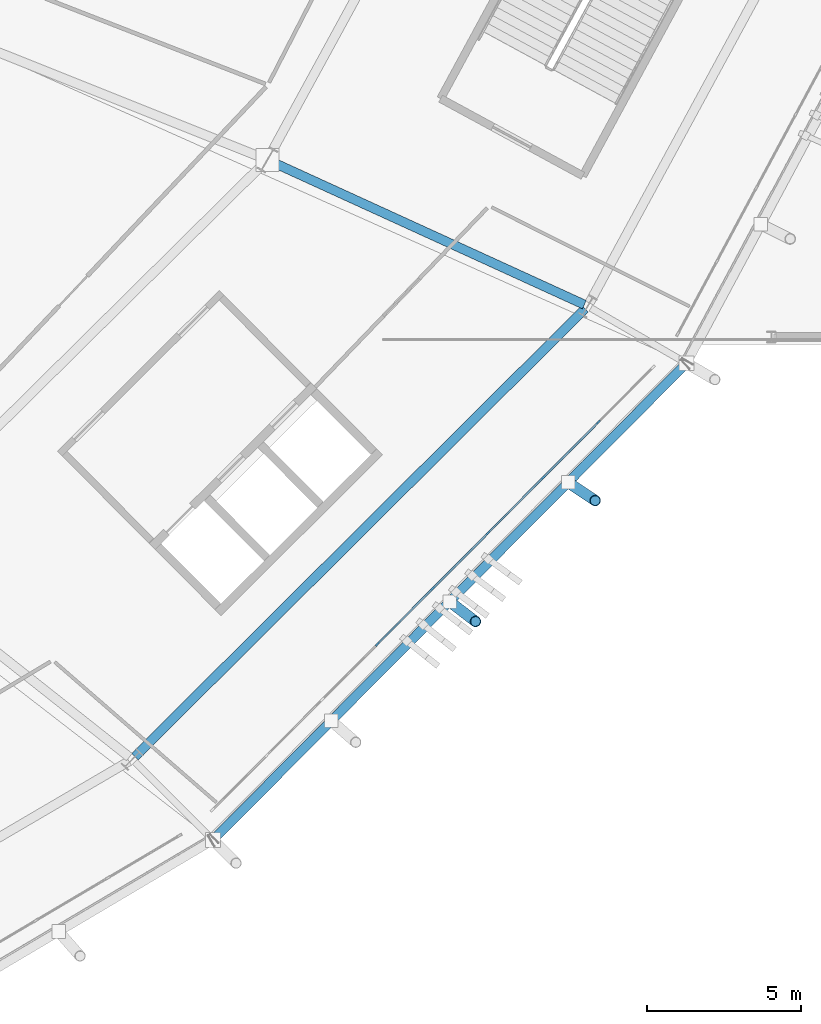
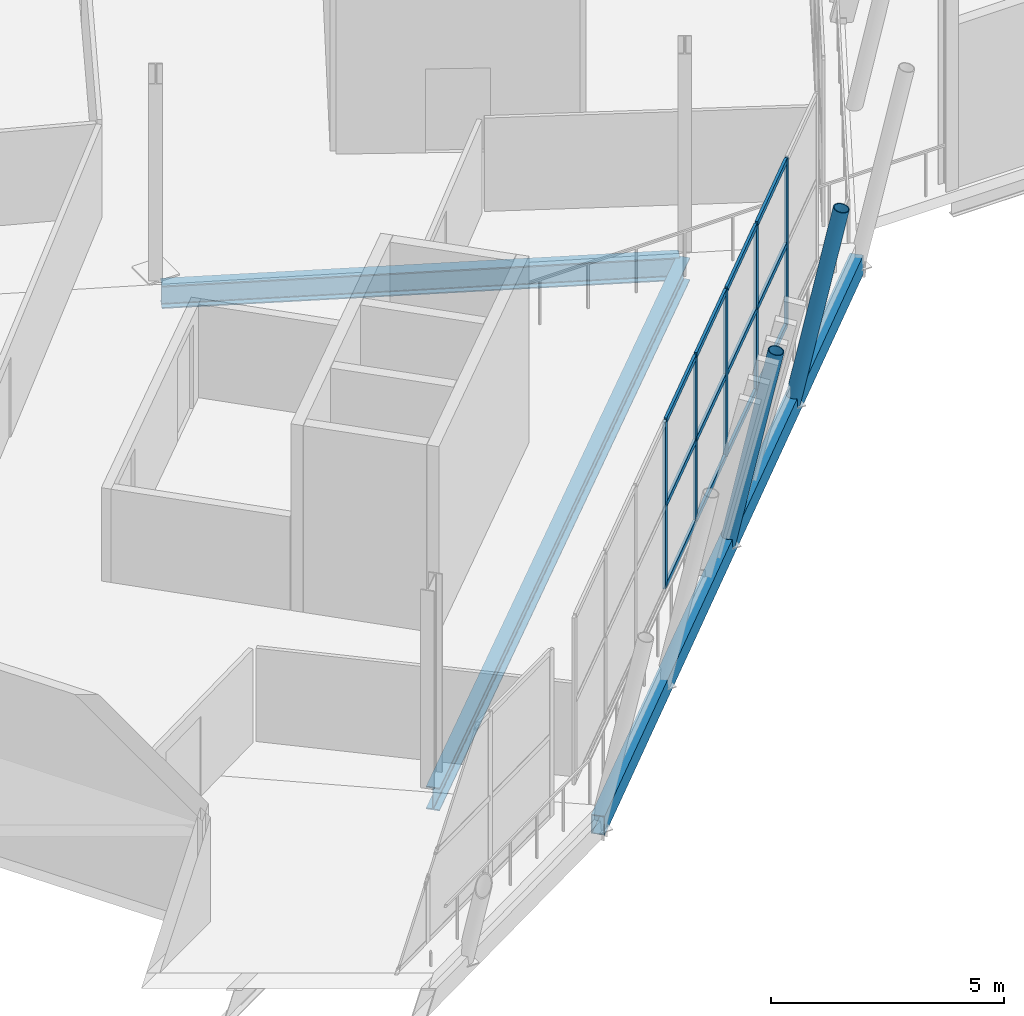
# One storey, part 53 of 168: 19 members, 3 beams, 1 element without a shape of its own.
"""IFC4 building model written with IfcOpenShell, lengths in metres."""

import ifcopenshell
import ifcopenshell.guid

model = None  # the IFC model being written
_history = None  # IfcOwnerHistory: only IFC2X3 demands one
_inside = {}  # id of a spatial element -> (the spatial element, [elements in it])
_under = {}  # id of a project, library or spatial element -> (it, [spatial elements below it])
_declared = {}  # id of a project -> (the project, [libraries it declares])
_typed = {}  # id of a type object -> (the type object, [elements of that type])
_made_of = {}  # id of a material, layer set ... -> (it, [elements and type objects made of it])


def new_model(schema):
    """Start an empty IFC model of exactly this schema.

    Asked for "IFC4X3", IfcOpenShell would pick the latest addendum, in which some entities
    have other attributes; the version numbers below select the first issue.
    IFC2X3 requires an IfcOwnerHistory on every rooted entity: one is made here for all.
    """
    global model, _history
    if schema == "IFC4X3":
        model = ifcopenshell.file(schema_version=(4, 3, 0, 0))
    else:
        model = ifcopenshell.file(schema=schema)
    _inside.clear()
    _under.clear()
    _declared.clear()
    _typed.clear()
    _made_of.clear()
    _history = None
    if model.schema == "IFC2X3":
        org = make("IfcOrganization", Name="unknown")
        user = make(
            "IfcPersonAndOrganization",
            ThePerson=make("IfcPerson", FamilyName="unknown"),
            TheOrganization=org,
        )
        app = make(
            "IfcApplication",
            ApplicationDeveloper=org,
            Version="unknown",
            ApplicationFullName="unknown",
            ApplicationIdentifier="unknown",
        )
        _history = make(
            "IfcOwnerHistory",
            OwningUser=user,
            OwningApplication=app,
            ChangeAction="ADDED",
            CreationDate=0,
        )
    return model


def make(cls, **values):
    """One entity of the class cls with the attributes given. An attribute that is None is left unset."""
    return model.create_entity(
        cls, **{name: value for name, value in values.items() if value is not None}
    )


def rooted(cls, **values):
    """An entity with a GlobalId (a new one), such as an element, a storey or a relation."""
    return make(cls, GlobalId=ifcopenshell.guid.new(), OwnerHistory=_history, **values)


def si_unit(unit_type, name, prefix=None):
    """IfcSIUnit, for example si_unit("LENGTHUNIT", "METRE", prefix="MILLI")."""
    return make("IfcSIUnit", UnitType=unit_type, Prefix=prefix, Name=name)


def assignment(units):
    """IfcUnitAssignment: the units of a project."""
    return None if units is None else make("IfcUnitAssignment", Units=units)


def point(xyz):
    """IfcCartesianPoint."""
    return None if xyz is None else make("IfcCartesianPoint", Coordinates=xyz)


def direction(xyz):
    """IfcDirection."""
    return None if xyz is None else make("IfcDirection", DirectionRatios=xyz)


def frame(location, z_axis=None, x_axis=None):
    """IfcAxis2Placement3D, a coordinate frame: its origin and axes. An axis left out is left unset."""
    return make(
        "IfcAxis2Placement3D",
        Location=point(location),
        Axis=direction(z_axis),
        RefDirection=direction(x_axis),
    )


def frame_2d(location, x_axis=None):
    """IfcAxis2Placement2D, a coordinate frame in the plane: its origin and x axis."""
    return make(
        "IfcAxis2Placement2D", Location=point(location), RefDirection=direction(x_axis)
    )


def origin():
    """The frame at (0, 0, 0) with its axes left unset."""
    return frame((0.0, 0.0, 0.0))


def origin_2d():
    """The frame at (0, 0) in the plane with its x axis left unset."""
    return frame_2d((0.0, 0.0))


def place(relative_to, where):
    """IfcLocalPlacement: puts the frame where relative to a parent placement (None: the world)."""
    return make(
        "IfcLocalPlacement", PlacementRelTo=relative_to, RelativePlacement=where
    )


def context(
    kind, dimensions, precision=None, world=None, true_north=None, identifier=None
):
    """IfcGeometricRepresentationContext, for example the 3D "Model" context."""
    return make(
        "IfcGeometricRepresentationContext",
        ContextIdentifier=identifier,
        ContextType=kind,
        CoordinateSpaceDimension=dimensions,
        Precision=precision,
        WorldCoordinateSystem=world,
        TrueNorth=true_north,
    )


def subcontext(parent, identifier, kind, view, scale=None):
    """IfcGeometricRepresentationSubContext, for example "Body" below "Model"."""
    return make(
        "IfcGeometricRepresentationSubContext",
        ContextIdentifier=identifier,
        ContextType=kind,
        ParentContext=parent,
        TargetScale=scale,
        TargetView=view,
    )


def project(units=None, contexts=None):
    """IfcProject with its units and contexts."""
    return rooted(
        "IfcProject",
        Name="project",
        RepresentationContexts=contexts,
        UnitsInContext=assignment(units),
    )


def spatial(cls, under=None, at=None, **own):
    """A site, building, storey or space (cls), placed at a placement, below another one or the project."""
    s = rooted(cls, ObjectPlacement=at, **own)
    if under is not None:
        _under.setdefault(under.id(), (under, []))[1].append(s)
    return s


def profile(cls, at=None, kind="AREA", **sizes):
    """A parametric profile (cls). Its sizes go by their IFC names, for example OverallWidth=200.0."""
    return make(cls, ProfileType=kind, Position=at, **sizes)


def rectangle(**sizes):
    """IfcRectangleProfileDef."""
    return profile("IfcRectangleProfileDef", **sizes)


def hollow_rectangle(**sizes):
    """IfcRectangleHollowProfileDef."""
    return profile("IfcRectangleHollowProfileDef", **sizes)


def hollow_circle(**sizes):
    """IfcCircleHollowProfileDef."""
    return profile("IfcCircleHollowProfileDef", **sizes)


def i_section(**sizes):
    """IfcIShapeProfileDef."""
    return profile("IfcIShapeProfileDef", **sizes)


def extrude(swept, where, along, depth):
    """IfcExtrudedAreaSolid: the profile swept, set in the frame where, extruded along a direction by depth."""
    return make(
        "IfcExtrudedAreaSolid",
        SweptArea=swept,
        Position=where,
        ExtrudedDirection=direction(along),
        Depth=depth,
    )


def shape(context_of_items, identifier, shape_type, items):
    """IfcShapeRepresentation: the items that make up one representation, for example the "Body"."""
    return make(
        "IfcShapeRepresentation",
        ContextOfItems=context_of_items,
        RepresentationIdentifier=identifier,
        RepresentationType=shape_type,
        Items=items,
    )


def material(Name=None, Category=None):
    """IfcMaterial."""
    return make("IfcMaterial", Name=Name, Category=Category)


def material_profile(
    of_material, cross_section, Name=None, Category=None, Priority=None
):
    """IfcMaterialProfile: a cross section and its material."""
    return make(
        "IfcMaterialProfile",
        Name=Name,
        Material=of_material,
        Profile=cross_section,
        Priority=Priority,
        Category=Category,
    )


def profile_set(profiles, Name=None, composite=None):
    """IfcMaterialProfileSet."""
    return make(
        "IfcMaterialProfileSet",
        Name=Name,
        MaterialProfiles=profiles,
        CompositeProfile=composite,
    )


def made_of(thing, what):
    """Note that an element or type object is made of a material, layer set ...; save() writes the relation."""
    if what is not None:
        _made_of.setdefault(what.id(), (what, []))[1].append(thing)
    return thing


def type_object(cls, material=None, **own):
    """A type object (cls), such as IfcWallType, which elements share."""
    return made_of(rooted(cls, **own), material)


def element(
    cls,
    number,
    at=None,
    inside=None,
    cuts=None,
    type_object=None,
    material=None,
    context=None,
    identifier="Body",
    shape_type=None,
    held_by="IfcProductDefinitionShape",
    body=None,
    shapes=None,
    **own,
):
    """One element of the class cls, such as IfcWall. Its Tag is "e" and its number.

    at: its placement. inside: the storey or other place that contains it. cuts: it is an
    opening in that element (IfcRelVoidsElement). A single representation is given by context,
    identifier, shape_type and body (its items); several are given by shapes. held_by: the class
    of the entity that holds the representations. save() writes the other relations.
    """
    e = rooted(cls, Tag="e%d" % number, ObjectPlacement=at, **own)
    if body is not None:
        shapes = [shape(context, identifier, shape_type, body)]
    if shapes is not None:
        e.Representation = make(held_by, Representations=shapes)
    if inside is not None:
        _inside.setdefault(inside.id(), (inside, []))[1].append(e)
    if cuts is not None:
        rooted(
            "IfcRelVoidsElement", RelatingBuildingElement=cuts, RelatedOpeningElement=e
        )
    if type_object is not None:
        _typed.setdefault(type_object.id(), (type_object, []))[1].append(e)
    return made_of(e, material)


def aggregate(whole, parts):
    """IfcRelAggregates: a whole, such as a stair, and the parts it consists of."""
    return rooted("IfcRelAggregates", RelatingObject=whole, RelatedObjects=parts)


def save(model, path):
    """Write the relations noted so far, then the file.

    IfcRelAggregates (storeys below a building ...), IfcRelContainedInSpatialStructure (elements
    in a storey), IfcRelDefinesByType, IfcRelAssociatesMaterial and IfcRelDeclares: one each for
    every whole, place, type object, material and project.
    """
    for whole, parts in _under.values():
        aggregate(whole, parts)
    for where, things in _inside.values():
        rooted(
            "IfcRelContainedInSpatialStructure",
            RelatedElements=things,
            RelatingStructure=where,
        )
    for kind, things in _typed.values():
        rooted("IfcRelDefinesByType", RelatedObjects=things, RelatingType=kind)
    for what, things in _made_of.values():
        rooted("IfcRelAssociatesMaterial", RelatedObjects=things, RelatingMaterial=what)
    for by, libraries in _declared.values():
        rooted("IfcRelDeclares", RelatingContext=by, RelatedDefinitions=libraries)
    model.write(path)


model = new_model("IFC4")

# Units and contexts
model_context = context("Model", 3, precision=1e-05, world=origin(), true_north=direction((0.0, 1.0)))
body_context = subcontext(model_context, "Body", "Model", "MODEL_VIEW")
ifc_project = project(units=[si_unit("LENGTHUNIT", "METRE"), si_unit("AREAUNIT", "SQUARE_METRE"), si_unit("VOLUMEUNIT", "CUBIC_METRE"), si_unit("PLANEANGLEUNIT", "RADIAN"), si_unit("MASSUNIT", "GRAM", prefix="KILO")], contexts=[model_context])

# Site, building, storey
site_placement = place(None, origin())
site = spatial("IfcSite", under=ifc_project, at=site_placement, CompositionType="ELEMENT")
building_placement = place(site_placement, origin())
building = spatial("IfcBuilding", under=site, at=building_placement, Name="Zlatoyarsky Gate Stadium", CompositionType="ELEMENT")
storey_placement = place(building_placement, frame((0.0, 0.0, 15.60009765625)))
storey = spatial("IfcBuildingStorey", under=building, at=storey_placement, Name="L03", CompositionType="ELEMENT", Elevation=15.60009765625)

# Curtain wall, members
ifc_material_1 = material(Name="Thermally broken anodised aluminium curtain wall", Category="aluminium")
curtain_wall_type = type_object("IfcCurtainWallType", Name="UNITISED CORPORATE BOX GLAZING L03", PredefinedType="USERDEFINED", material=ifc_material_1)
curtain_wall_placement = place(storey_placement, origin())
curtain_wall = element("IfcCurtainWall", 1, at=curtain_wall_placement, inside=storey, type_object=curtain_wall_type, Name="Curtain wall CW-L03-21", ObjectType="UNITISED GLAZING", PredefinedType="USERDEFINED")
ifc_material_2 = material(Name="Anodised aluminium 6063-T6", Category="aluminium")
ifc_material_profile_1 = material_profile(ifc_material_2, rectangle(XDim=0.06494140625, YDim=0.159912109375, at=origin_2d()), Name="ALU 65X160")
ifc_profile_set_1 = profile_set([ifc_material_profile_1], Name="Anodised aluminium 6063-T6")
member_type_1 = type_object("IfcMemberType", Name="ALUMINIUM MULLION 65X160", PredefinedType="MULLION", material=ifc_profile_set_1)
member_1_placement = place(storey_placement, frame((184.7197265625, 33.53515625, 0.0), z_axis=(0.0, 0.0, 1.0), x_axis=(-0.708721143054, 0.705488725202, 0.0)))
member_1 = element("IfcMember", 2, at=member_1_placement, type_object=member_type_1, Name="CW-UG3 mullion 4", PredefinedType="MULLION", context=body_context, shape_type="SweptSolid", body=[
    extrude(rectangle(XDim=0.06494140625, YDim=0.159912109375, at=origin_2d()), origin(), (0.0, 0.0, 1.0), 4.3798828125),
])
member_2_placement = place(storey_placement, frame((186.511962890625, 35.335693359375, 0.0), z_axis=(0.0, 0.0, 1.0), x_axis=(-0.708721143054, 0.705488725202, 0.0)))
member_2 = element("IfcMember", 3, at=member_2_placement, type_object=member_type_1, Name="CW-UG3 mullion 5", PredefinedType="MULLION", context=body_context, shape_type="SweptSolid", body=[
    extrude(rectangle(XDim=0.06494140625, YDim=0.159912109375, at=origin_2d()), origin(), (0.0, 0.0, 1.0), 4.3798828125),
])
member_3_placement = place(storey_placement, frame((188.304443359375, 37.13623046875, 0.0), z_axis=(0.0, 0.0, 1.0), x_axis=(-0.708721143054, 0.705488725202, 0.0)))
member_3 = element("IfcMember", 4, at=member_3_placement, type_object=member_type_1, Name="CW-UG3 mullion 6", PredefinedType="MULLION", context=body_context, shape_type="SweptSolid", body=[
    extrude(rectangle(XDim=0.06494140625, YDim=0.159912109375, at=origin_2d()), origin(), (0.0, 0.0, 1.0), 4.3798828125),
])
member_4_placement = place(storey_placement, frame((190.096923828125, 38.93701171875, 0.0), z_axis=(0.0, 0.0, 1.0), x_axis=(-0.708721143054, 0.705488725202, 0.0)))
member_4 = element("IfcMember", 5, at=member_4_placement, type_object=member_type_1, Name="CW-UG3 mullion 7", PredefinedType="MULLION", context=body_context, shape_type="SweptSolid", body=[
    extrude(rectangle(XDim=0.06494140625, YDim=0.159912109375, at=origin_2d()), origin(), (0.0, 0.0, 1.0), 4.3798828125),
])
member_5_placement = place(storey_placement, frame((191.889404296875, 40.737548828125, 0.0), z_axis=(0.0, 0.0, 1.0), x_axis=(-0.708721143054, 0.705488725202, 0.0)))
member_5 = element("IfcMember", 6, at=member_5_placement, type_object=member_type_1, Name="CW-UG3 mullion 8", PredefinedType="MULLION", context=body_context, shape_type="SweptSolid", body=[
    extrude(rectangle(XDim=0.06494140625, YDim=0.159912109375, at=origin_2d()), origin(), (0.0, 0.0, 1.0), 4.3798828125),
])
ifc_material_profile_2 = material_profile(ifc_material_2, rectangle(XDim=0.06494140625, YDim=0.139892578125, at=origin_2d()), Name="ALU 65X140")
ifc_profile_set_2 = profile_set([ifc_material_profile_2], Name="Anodised aluminium 6063-T6")
member_type_2 = type_object("IfcMemberType", Name="ALUMINIUM TRANSOM 65X140", PredefinedType="USERDEFINED", material=ifc_profile_set_2)
member_6_placement = place(storey_placement, frame((184.74267578125, 33.55810546875, 0.032470703125), z_axis=(0.705428255099, 0.708781332223, 0.0), x_axis=(-0.708781332223, 0.705428255099, 0.0)))
member_6 = element("IfcMember", 7, at=member_6_placement, type_object=member_type_2, Name="CW-UG3 transom 4.1", ObjectType="TRANSOM", PredefinedType="USERDEFINED", context=body_context, shape_type="SweptSolid", body=[
    extrude(rectangle(XDim=0.06494140625, YDim=0.139892578125, at=origin_2d()), origin(), (0.0, 0.0, 1.0), 2.4755859375),
])
member_7_placement = place(storey_placement, frame((184.74267578125, 33.55810546875, 2.14990234375), z_axis=(0.705428255099, 0.708781332223, 0.0), x_axis=(-0.708781332223, 0.705428255099, 0.0)))
member_7 = element("IfcMember", 8, at=member_7_placement, type_object=member_type_2, Name="CW-UG3 transom 4.2", ObjectType="TRANSOM", PredefinedType="USERDEFINED", context=body_context, shape_type="SweptSolid", body=[
    extrude(rectangle(XDim=0.06494140625, YDim=0.139892578125, at=origin_2d()), origin(), (0.0, 0.0, 1.0), 2.4755859375),
])
member_8_placement = place(storey_placement, frame((184.74267578125, 33.55810546875, 4.347412109375), z_axis=(0.705428255099, 0.708781332223, 0.0), x_axis=(-0.708781332223, 0.705428255099, 0.0)))
member_8 = element("IfcMember", 9, at=member_8_placement, type_object=member_type_2, Name="CW-UG3 transom 4.3", ObjectType="TRANSOM", PredefinedType="USERDEFINED", context=body_context, shape_type="SweptSolid", body=[
    extrude(rectangle(XDim=0.06494140625, YDim=0.139892578125, at=origin_2d()), origin(), (0.0, 0.0, 1.0), 2.4755859375),
])
member_9_placement = place(storey_placement, frame((186.534912109375, 35.358642578125, 0.032470703125), z_axis=(0.705477793712, 0.708732024519, 0.0), x_axis=(-0.708732024519, 0.705477793712, 0.0)))
member_9 = element("IfcMember", 10, at=member_9_placement, type_object=member_type_2, Name="CW-UG3 transom 5.1", ObjectType="TRANSOM", PredefinedType="USERDEFINED", context=body_context, shape_type="SweptSolid", body=[
    extrude(rectangle(XDim=0.06494140625, YDim=0.139892578125, at=origin_2d()), origin(), (0.0, 0.0, 1.0), 2.475830078125),
])
member_10_placement = place(storey_placement, frame((186.534912109375, 35.358642578125, 2.14990234375), z_axis=(0.705477793712, 0.708732024519, 0.0), x_axis=(-0.708732024519, 0.705477793712, 0.0)))
member_10 = element("IfcMember", 11, at=member_10_placement, type_object=member_type_2, Name="CW-UG3 transom 5.2", ObjectType="TRANSOM", PredefinedType="USERDEFINED", context=body_context, shape_type="SweptSolid", body=[
    extrude(rectangle(XDim=0.06494140625, YDim=0.139892578125, at=origin_2d()), origin(), (0.0, 0.0, 1.0), 2.475830078125),
])
member_11_placement = place(storey_placement, frame((186.534912109375, 35.358642578125, 4.347412109375), z_axis=(0.705477793712, 0.708732024519, 0.0), x_axis=(-0.708732024519, 0.705477793712, 0.0)))
member_11 = element("IfcMember", 12, at=member_11_placement, type_object=member_type_2, Name="CW-UG3 transom 5.3", ObjectType="TRANSOM", PredefinedType="USERDEFINED", context=body_context, shape_type="SweptSolid", body=[
    extrude(rectangle(XDim=0.06494140625, YDim=0.139892578125, at=origin_2d()), origin(), (0.0, 0.0, 1.0), 2.475830078125),
])
member_12_placement = place(storey_placement, frame((188.327392578125, 37.159423828125, 0.032470703125), z_axis=(0.705527101456, 0.708682939763, 0.0), x_axis=(-0.708682939763, 0.705527101456, 0.0)))
member_12 = element("IfcMember", 13, at=member_12_placement, type_object=member_type_2, Name="CW-UG3 transom 6.1", ObjectType="TRANSOM", PredefinedType="USERDEFINED", context=body_context, shape_type="SweptSolid", body=[
    extrude(rectangle(XDim=0.06494140625, YDim=0.139892578125, at=origin_2d()), origin(), (0.0, 0.0, 1.0), 2.4755859375),
])
member_13_placement = place(storey_placement, frame((188.327392578125, 37.159423828125, 2.14990234375), z_axis=(0.705527101456, 0.708682939763, 0.0), x_axis=(-0.708682939763, 0.705527101456, 0.0)))
member_13 = element("IfcMember", 14, at=member_13_placement, type_object=member_type_2, Name="CW-UG3 transom 6.2", ObjectType="TRANSOM", PredefinedType="USERDEFINED", context=body_context, shape_type="SweptSolid", body=[
    extrude(rectangle(XDim=0.06494140625, YDim=0.139892578125, at=origin_2d()), origin(), (0.0, 0.0, 1.0), 2.4755859375),
])
member_14_placement = place(storey_placement, frame((188.327392578125, 37.159423828125, 4.347412109375), z_axis=(0.705527101456, 0.708682939763, 0.0), x_axis=(-0.708682939763, 0.705527101456, 0.0)))
member_14 = element("IfcMember", 15, at=member_14_placement, type_object=member_type_2, Name="CW-UG3 transom 6.3", ObjectType="TRANSOM", PredefinedType="USERDEFINED", context=body_context, shape_type="SweptSolid", body=[
    extrude(rectangle(XDim=0.06494140625, YDim=0.139892578125, at=origin_2d()), origin(), (0.0, 0.0, 1.0), 2.4755859375),
])
member_15_placement = place(storey_placement, frame((190.119873046875, 38.9599609375, 0.032470703125), z_axis=(0.705477793712, 0.708732024519, 0.0), x_axis=(-0.708732024519, 0.705477793712, 0.0)))
member_15 = element("IfcMember", 16, at=member_15_placement, type_object=member_type_2, Name="CW-UG3 transom 7.1", ObjectType="TRANSOM", PredefinedType="USERDEFINED", context=body_context, shape_type="SweptSolid", body=[
    extrude(rectangle(XDim=0.06494140625, YDim=0.139892578125, at=origin_2d()), origin(), (0.0, 0.0, 1.0), 2.475830078125),
])
member_16_placement = place(storey_placement, frame((190.119873046875, 38.9599609375, 2.14990234375), z_axis=(0.705477793712, 0.708732024519, 0.0), x_axis=(-0.708732024519, 0.705477793712, 0.0)))
member_16 = element("IfcMember", 17, at=member_16_placement, type_object=member_type_2, Name="CW-UG3 transom 7.2", ObjectType="TRANSOM", PredefinedType="USERDEFINED", context=body_context, shape_type="SweptSolid", body=[
    extrude(rectangle(XDim=0.06494140625, YDim=0.139892578125, at=origin_2d()), origin(), (0.0, 0.0, 1.0), 2.475830078125),
])
member_17_placement = place(storey_placement, frame((190.119873046875, 38.9599609375, 4.347412109375), z_axis=(0.705477793712, 0.708732024519, 0.0), x_axis=(-0.708732024519, 0.705477793712, 0.0)))
member_17 = element("IfcMember", 18, at=member_17_placement, type_object=member_type_2, Name="CW-UG3 transom 7.3", ObjectType="TRANSOM", PredefinedType="USERDEFINED", context=body_context, shape_type="SweptSolid", body=[
    extrude(rectangle(XDim=0.06494140625, YDim=0.139892578125, at=origin_2d()), origin(), (0.0, 0.0, 1.0), 2.475830078125),
])
aggregate(curtain_wall, [member_1, member_2, member_3, member_4, member_5, member_6, member_7, member_8, member_9, member_10, member_11, member_12, member_13, member_14, member_15, member_16, member_17])

# Members
ifc_material_3 = material(Name="Steel S355", Category="steel")
ifc_material_profile_3 = material_profile(ifc_material_3, hollow_circle(Radius=0.177734375, WallThickness=0.02001953125, at=origin_2d()), Name="CHS 355.6X20")
ifc_profile_set_3 = profile_set([ifc_material_profile_3], Name="Steel S355")
member_type_3 = type_object("IfcMemberType", Name="STEEL LEANING RIB RING STRUT CHS 355.6X20", PredefinedType="STRUT", material=ifc_profile_set_3)
member_18_placement = place(storey_placement, frame((187.062744140625, 34.9130859375, -0.530029296875), z_axis=(0.158762249376, -0.121819317584, 0.979772729788), x_axis=(0.608751235052, 0.793361162285, 0.0)))
element("IfcMember", 19, at=member_18_placement, inside=storey, type_object=member_type_3, Name="Outward-leaning bowl louvre fin rib L03 21-2", PredefinedType="STRUT", context=body_context, shape_type="SweptSolid", body=[
    extrude(hollow_circle(Radius=0.177734375, WallThickness=0.02001953125, at=origin_2d()), origin(), (0.0, 0.0, 1.0), 5.286865234375),
])
member_19_placement = place(storey_placement, frame((190.90478515625, 38.781005859375, -0.530029296875), z_axis=(0.166782151145, -0.111372798605, 0.979683527365), x_axis=(0.555337619613, 0.831624992555, 0.0)))
element("IfcMember", 20, at=member_19_placement, inside=storey, type_object=member_type_3, Name="Outward-leaning bowl louvre fin rib L03 21-3", PredefinedType="STRUT", context=body_context, shape_type="SweptSolid", body=[
    extrude(hollow_circle(Radius=0.177734375, WallThickness=0.02001953125, at=origin_2d()), origin(), (0.0, 0.0, 1.0), 5.287353515625),
])

# Beams
ifc_material_profile_4 = material_profile(ifc_material_3, hollow_rectangle(XDim=0.300048828125, YDim=0.5, WallThickness=0.02001953125, at=origin_2d()), Name="RHS 500X300X20")
ifc_profile_set_4 = profile_set([ifc_material_profile_4], Name="Steel S355")
beam_type_1 = type_object("IfcBeamType", Name="STEEL LOUVRE CARRIER SPANDREL RHS 500X300X20", PredefinedType="SPANDREL", material=ifc_profile_set_4)
beam_1_placement = place(storey_placement, frame((179.392822265625, 27.19189453125, -0.530029296875), z_axis=(0.704730557103, 0.709475046697, 0.0), x_axis=(-0.709475046697, 0.704730557103, 0.0)))
element("IfcBeam", 21, at=beam_1_placement, inside=storey, type_object=beam_type_1, Name="Beam SP-RHS500 BM-L03-SPD-21", PredefinedType="SPANDREL", context=body_context, shape_type="SweptSolid", body=[
    extrude(hollow_rectangle(XDim=0.300048828125, YDim=0.5, WallThickness=0.02001953125, at=origin_2d()), origin(), (0.0, 0.0, 1.0), 21.7666015625),
])
ifc_material_profile_5 = material_profile(ifc_material_3, i_section(OverallWidth=0.300048828125, OverallDepth=0.60009765625, WebThickness=0.015380859375, FlangeThickness=0.030029296875, FilletRadius=0.027099609375, at=origin_2d()), Name="HEB 600")
ifc_profile_set_5 = profile_set([ifc_material_profile_5], Name="Steel S355")
beam_type_2 = type_object("IfcBeamType", Name="STEEL PRIMARY GIRDER HEB 600", PredefinedType="BEAM", material=ifc_profile_set_5)
beam_2_placement = place(storey_placement, frame((176.845947265625, 29.8798828125, -0.580078125), z_axis=(0.708899260134, 0.705309746835, 0.0), x_axis=(-0.705309746835, 0.708899260134, 0.0)))
element("IfcBeam", 22, at=beam_2_placement, inside=storey, type_object=beam_type_2, Name="Beam G-HEB600 BM-L03-CRC-21", PredefinedType="BEAM", context=body_context, shape_type="SweptSolid", body=[
    extrude(i_section(OverallWidth=0.300048828125, OverallDepth=0.60009765625, WebThickness=0.015380859375, FlangeThickness=0.030029296875, FilletRadius=0.027099609375, at=origin_2d()), origin(), (0.0, 0.0, 1.0), 20.608642578125),
])
beam_3_placement = place(storey_placement, frame((181.257080078125, 49.2001953125, -0.580078125), z_axis=(0.909498994842, -0.415706120213, 0.0), x_axis=(0.415706120213, 0.909498994842, 0.0)))
element("IfcBeam", 23, at=beam_3_placement, inside=storey, type_object=beam_type_2, Name="Beam G-HEB600 BM-L03-RBC-22", PredefinedType="BEAM", context=body_context, shape_type="SweptSolid", body=[
    extrude(i_section(OverallWidth=0.300048828125, OverallDepth=0.60009765625, WebThickness=0.015380859375, FlangeThickness=0.030029296875, FilletRadius=0.027099609375, at=origin_2d()), origin(), (0.0, 0.0, 1.0), 11.186767578125),
])

save(model, "model.ifc")
